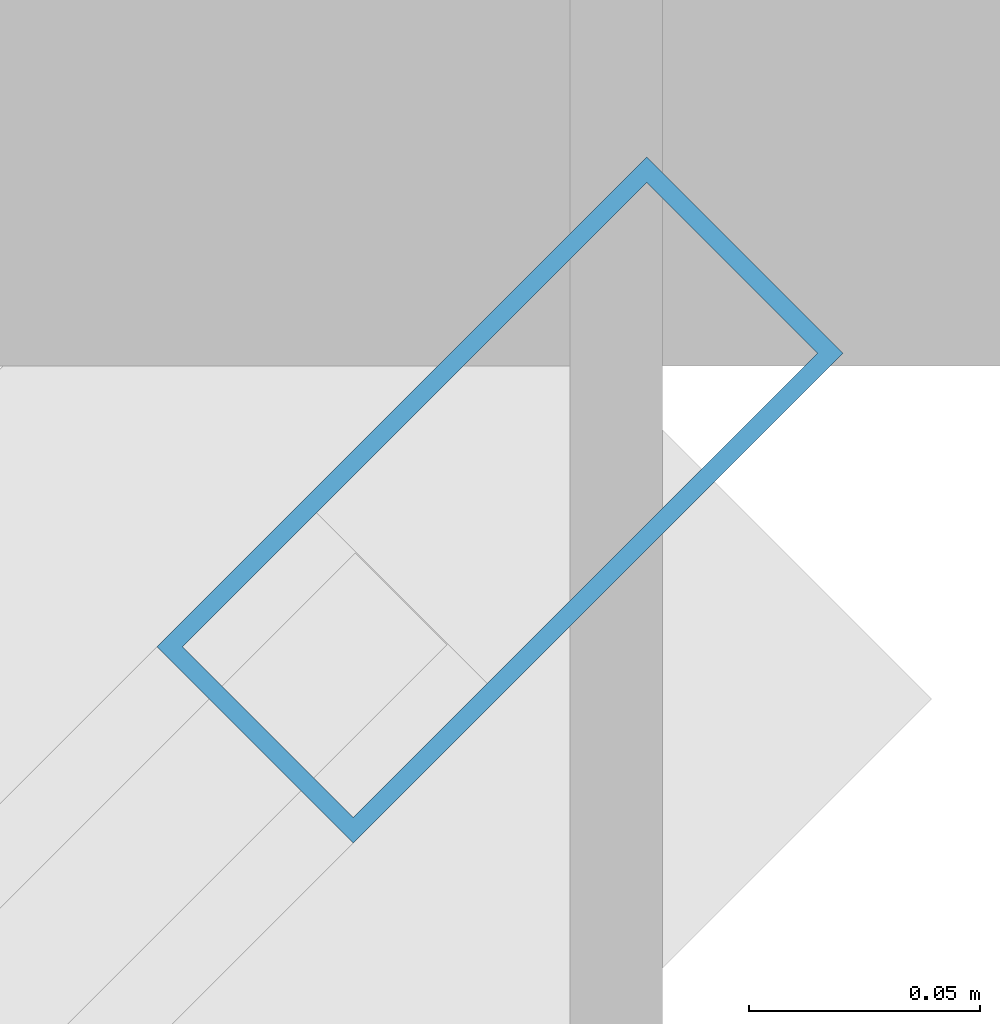
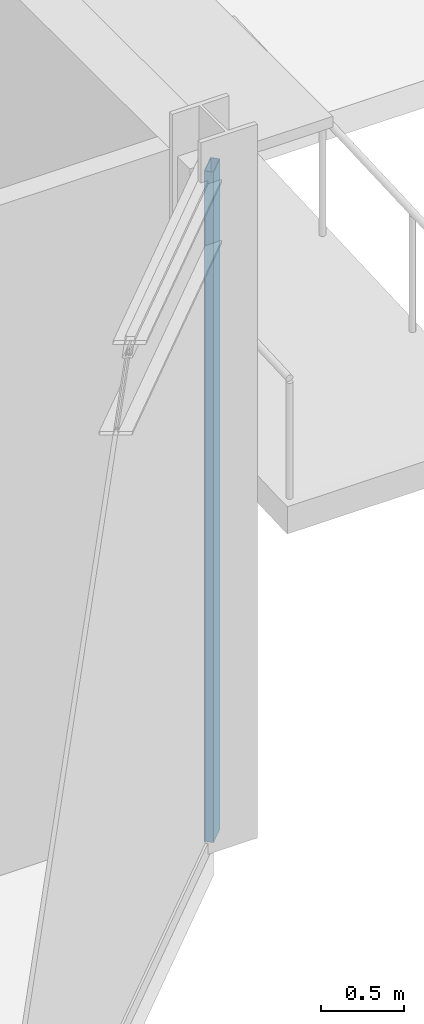
# One storey, part 63 of 168: 1 member, 1 element without a shape of its own.
"""IFC4 building model written with IfcOpenShell, lengths in metres."""

from ifc_helpers import new_model, si_unit, direction, frame, origin, origin_2d, place, context, subcontext, project, spatial, hollow_rectangle, extrude, material, material_profile, profile_set, type_object, element, aggregate, save


model = new_model("IFC4")

# Units and contexts
model_context = context("Model", 3, precision=1e-05, world=origin(), true_north=direction((0.0, 1.0)))
body_context = subcontext(model_context, "Body", "Model", "MODEL_VIEW")
ifc_project = project(units=[si_unit("LENGTHUNIT", "METRE"), si_unit("AREAUNIT", "SQUARE_METRE"), si_unit("VOLUMEUNIT", "CUBIC_METRE"), si_unit("PLANEANGLEUNIT", "RADIAN"), si_unit("MASSUNIT", "GRAM", prefix="KILO")], contexts=[model_context])

# Site, building, storey
site_placement = place(None, origin())
site = spatial("IfcSite", under=ifc_project, at=site_placement, CompositionType="ELEMENT")
building_placement = place(site_placement, origin())
building = spatial("IfcBuilding", under=site, at=building_placement, Name="Almandine Court Research Institute", CompositionType="ELEMENT")
storey_placement = place(building_placement, origin())
storey = spatial("IfcBuildingStorey", under=building, at=storey_placement, Name="L00", CompositionType="ELEMENT", Elevation=0.0)

# Curtain wall, member
ifc_material_1 = material(Name="Unitised Curtain Wall Framing and Solar Glazing", Category="glass")
curtain_wall_type = type_object("IfcCurtainWallType", Name="CW-CWG-04", PredefinedType="USERDEFINED", material=ifc_material_1)
curtain_wall_placement = place(storey_placement, origin())
curtain_wall = element("IfcCurtainWall", 1, at=curtain_wall_placement, inside=storey, type_object=curtain_wall_type, Name="L00 Cleanroom SE Chamfer Glazing", ObjectType="UNITISED GLAZING", PredefinedType="USERDEFINED")
ifc_material_2 = material(Name="Anodised Aluminium AW-6063-T6", Category="aluminium")
ifc_material_profile = material_profile(ifc_material_2, hollow_rectangle(XDim=0.06005859375, YDim=0.14990234375, WallThickness=0.00390625, at=origin_2d()), Name="ALU RHS 60x150x4")
ifc_profile_set = profile_set([ifc_material_profile], Name="Anodised Aluminium AW-6063-T6")
member_type = type_object("IfcMemberType", Name="CWMul-60x150", PredefinedType="MULLION", material=ifc_profile_set)
member_placement = place(storey_placement, frame((34.77490234375, 88.77490234375, 0.0), z_axis=(0.0, 0.0, 1.0), x_axis=(0.707106781187, -0.707106781187, 0.0)))
member = element("IfcMember", 2, at=member_placement, type_object=member_type, Name="CWG-04 mullion 1", PredefinedType="MULLION", context=body_context, shape_type="SweptSolid", body=[
    extrude(hollow_rectangle(XDim=0.06005859375, YDim=0.14990234375, WallThickness=0.00390625, at=origin_2d()), origin(), (0.0, 0.0, 1.0), 4.929931640625),
])
aggregate(curtain_wall, [member])

save(model, "model.ifc")
